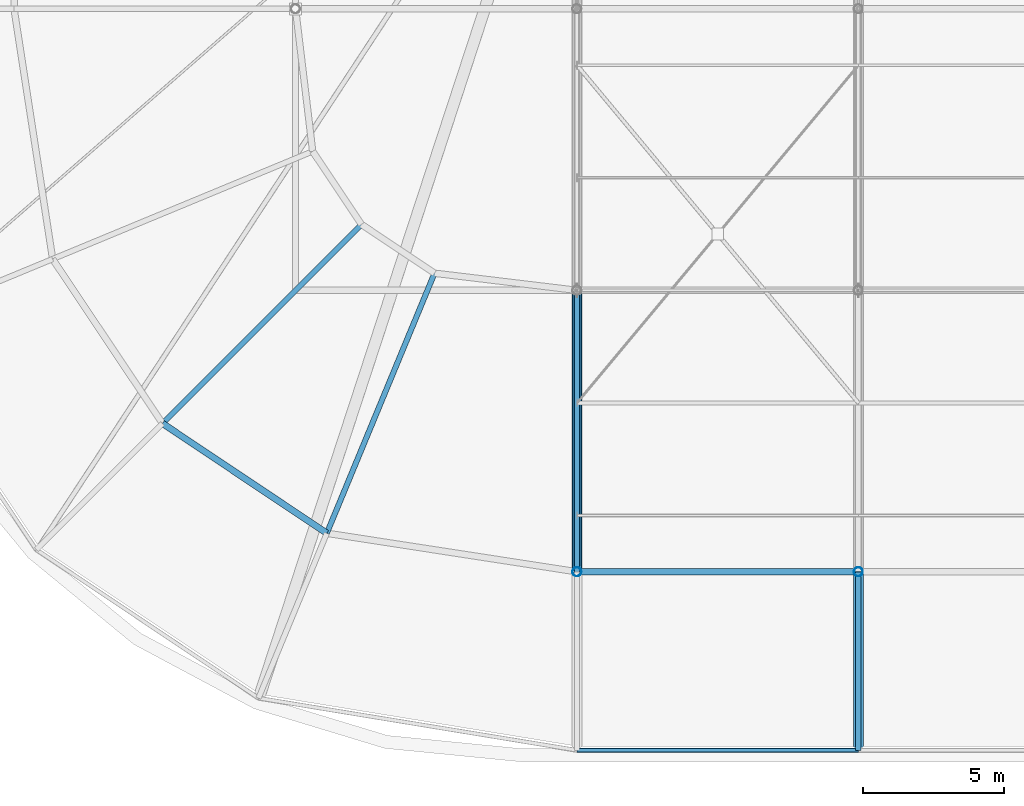
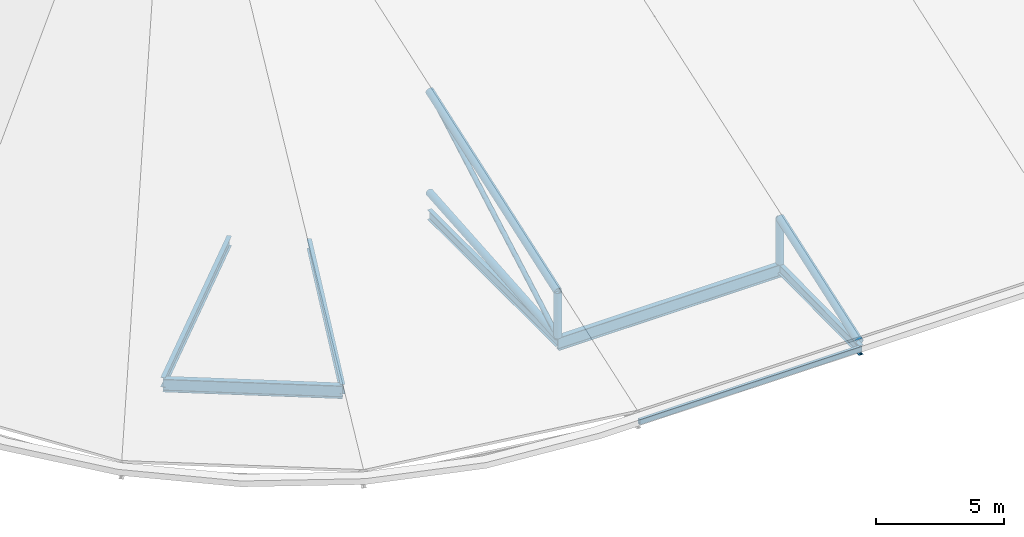
# One storey, part 9 of 93: 7 beams, 6 members.
"""IFC4 building model written with IfcOpenShell, lengths in metres."""

from ifc_helpers import new_model, si_unit, derived_unit, direction, frame, origin, origin_2d_with_axis, place, context, subcontext, project, spatial, hollow_rectangle, hollow_circle, i_section, extrude, material, material_profile, profile_set, type_object, element, save


model = new_model("IFC4")

# Units and contexts
model_context = context("Model", 3, precision=1e-05, world=origin(), true_north=direction((0.0, 1.0)))
body_context = subcontext(model_context, "Body", "Model", "MODEL_VIEW")
ifc_project = project(units=[si_unit("LENGTHUNIT", "METRE"), si_unit("AREAUNIT", "SQUARE_METRE"), si_unit("VOLUMEUNIT", "CUBIC_METRE"), si_unit("PLANEANGLEUNIT", "RADIAN"), si_unit("MASSUNIT", "GRAM", prefix="KILO"), derived_unit("THERMALTRANSMITTANCEUNIT", [(si_unit("POWERUNIT", "WATT"), 1), (si_unit("LENGTHUNIT", "METRE"), -2), (si_unit("THERMODYNAMICTEMPERATUREUNIT", "KELVIN"), -1)])], contexts=[model_context])

# Site, building, storey
site_placement = place(None, origin())
site = spatial("IfcSite", under=ifc_project, at=site_placement, CompositionType="ELEMENT")
building_placement = place(site_placement, origin())
building = spatial("IfcBuilding", under=site, at=building_placement, Name="Cinnabar Yard Market Hall", CompositionType="ELEMENT")
storey_placement = place(building_placement, frame((0.0, 0.0, 23.800048828125)))
storey = spatial("IfcBuildingStorey", under=building, at=storey_placement, Name="ROOF", CompositionType="ELEMENT", Elevation=23.800048828125)

# Beams
ifc_material_1 = material(Name="Steel Grade 350 (350 MPa)", Category="steel")
ifc_material_profile_1 = material_profile(ifc_material_1, i_section(OverallWidth=0.22900390625, OverallDepth=0.611572265625, WebThickness=0.011962890625, FlangeThickness=0.01953125, FilletRadius=0.013916015625, at=origin_2d_with_axis()), Name="610UB125")
ifc_profile_set_1 = profile_set([ifc_material_profile_1], Name="Steel Grade 350 (350 MPa)")
beam_type_1 = type_object("IfcBeamType", Name="BM-B01E", PredefinedType="BEAM", material=ifc_profile_set_1)
beam_1_placement = place(storey_placement, frame((86.0, 14.0, -9.705810546875), z_axis=(1.0, 0.0, 0.0), x_axis=(0.0, 1.0, 0.0)))
element("IfcBeam", 1, at=beam_1_placement, inside=storey, type_object=beam_type_1, Name="South Springer Girder 00356", PredefinedType="BEAM", context=body_context, shape_type="SweptSolid", body=[
    extrude(i_section(OverallWidth=0.22900390625, OverallDepth=0.611572265625, WebThickness=0.011962890625, FlangeThickness=0.01953125, FilletRadius=0.013916015625, at=origin_2d_with_axis()), origin(), (0.0, 0.0, 1.0), 10.0),
])
beam_2_placement = place(storey_placement, frame((71.272216796875, 19.272216796875, -9.705810546875), z_axis=(0.831456201368, -0.555590303377, 0.0), x_axis=(0.555590303377, 0.831456201368, 0.0)))
element("IfcBeam", 2, at=beam_2_placement, inside=storey, type_object=beam_type_1, Name="Outer Corner Ring SW 00455", PredefinedType="BEAM", context=body_context, shape_type="SweptSolid", body=[
    extrude(i_section(OverallWidth=0.22900390625, OverallDepth=0.611572265625, WebThickness=0.011962890625, FlangeThickness=0.01953125, FilletRadius=0.013916015625, at=origin_2d_with_axis()), origin(), (0.0, 0.0, 1.0), 7.0234375),
])
ifc_material_2 = material(Name="Steel Grade 300 (300 MPa)", Category="steel")
ifc_material_profile_2 = material_profile(ifc_material_2, i_section(OverallWidth=0.19091796875, OverallDepth=0.46044921875, WebThickness=0.010009765625, FlangeThickness=0.01611328125, FilletRadius=0.011474609375, at=origin_2d_with_axis()), Name="460UB82.1")
ifc_profile_set_2 = profile_set([ifc_material_profile_2], Name="Steel Grade 300 (300 MPa)")
beam_type_2 = type_object("IfcBeamType", Name="BM-B04", PredefinedType="BEAM", material=ifc_profile_set_2)
beam_3_placement = place(storey_placement, frame((78.343017578125, 26.343017578125, -9.630126953125), z_axis=(-0.707106781187, -0.707106781187, 0.0), x_axis=(0.707106781187, -0.707106781187, 0.0)))
element("IfcBeam", 3, at=beam_3_placement, inside=storey, type_object=beam_type_2, Name="Corner Backspan Girder SW-4 00462", PredefinedType="BEAM", context=body_context, shape_type="SweptSolid", body=[
    extrude(i_section(OverallWidth=0.19091796875, OverallDepth=0.46044921875, WebThickness=0.010009765625, FlangeThickness=0.01611328125, FilletRadius=0.011474609375, at=origin_2d_with_axis()), origin(), (0.0, 0.0, 1.0), 9.99951171875),
])
for number, where, z_axis, x_axis, name in (
    (4, (80.9384765625, 24.60888671875, -9.630126953125), (-0.382669478028, -0.923885312463, 0.0), (0.923885312463, -0.382669478028, 0.0), "Corner Backspan Girder SW-6 00464"),
    (5, (86.0, 24.0, -9.630126953125), (0.0, -1.0, 0.0), (1.0, 0.0, 0.0), "South Chhajja Backspan Girder 00520"),
):
    element("IfcBeam", number, at=place(storey_placement, frame(where, z_axis=z_axis, x_axis=x_axis)), inside=storey, type_object=beam_type_2, Name=name, PredefinedType="BEAM", context=body_context, shape_type="SweptSolid", body=[
        extrude(i_section(OverallWidth=0.19091796875, OverallDepth=0.46044921875, WebThickness=0.010009765625, FlangeThickness=0.01611328125, FilletRadius=0.011474609375, at=origin_2d_with_axis()), origin(), (0.0, 0.0, 1.0), 10.0),
    ])
ifc_material_profile_3 = material_profile(ifc_material_2, i_section(OverallWidth=0.19091796875, OverallDepth=0.46044921875, WebThickness=0.010009765625, FlangeThickness=0.01611328125, FilletRadius=0.011474609375, at=origin_2d_with_axis()), Name="460UB82.1")
ifc_profile_set_3 = profile_set([ifc_material_profile_3], Name="Steel Grade 300 (300 MPa)")
beam_type_3 = type_object("IfcBeamType", Name="BM-RF02E", PredefinedType="BEAM", material=ifc_profile_set_3)
beam_4_placement = place(storey_placement, frame((96.0, 14.0, -9.630126953125), z_axis=(0.0, -0.999920245484, -0.012629436656), x_axis=(1.0, 0.0, 0.0)))
element("IfcBeam", 6, at=beam_4_placement, inside=storey, type_object=beam_type_3, Name="South Chhajja Cantilever Rafter 00525", PredefinedType="BEAM", context=body_context, shape_type="SweptSolid", body=[
    extrude(i_section(OverallWidth=0.19091796875, OverallDepth=0.46044921875, WebThickness=0.010009765625, FlangeThickness=0.01611328125, FilletRadius=0.011474609375, at=origin_2d_with_axis()), origin(), (0.0, 0.0, 1.0), 6.340576171875),
])
ifc_material_3 = material(Name="Cold-formed steel C350L0", Category="steel")
ifc_material_profile_4 = material_profile(ifc_material_3, hollow_rectangle(XDim=0.14990234375, YDim=0.25, WallThickness=0.009033203125, InnerFilletRadius=0.009033203125, OuterFilletRadius=0.01806640625, at=origin_2d_with_axis()), Name="250x150x9.0RHS")
ifc_profile_set_4 = profile_set([ifc_material_profile_4], Name="Cold-formed steel C350L0")
beam_type_4 = type_object("IfcBeamType", Name="BM-SP01E", PredefinedType="SPANDREL", material=ifc_profile_set_4)
beam_5_placement = place(storey_placement, frame((86.0, 7.659912109375, -9.60498046875), z_axis=(1.0, 0.0, 0.0), x_axis=(0.0, 1.0, 0.0)))
element("IfcBeam", 7, at=beam_5_placement, inside=storey, type_object=beam_type_4, Name="South Eave Fascia 00548", PredefinedType="SPANDREL", context=body_context, shape_type="SweptSolid", body=[
    extrude(hollow_rectangle(XDim=0.14990234375, YDim=0.25, WallThickness=0.009033203125, InnerFilletRadius=0.009033203125, OuterFilletRadius=0.01806640625, at=origin_2d_with_axis()), origin(), (0.0, 0.0, 1.0), 10.0),
])

# Members
ifc_material_profile_5 = material_profile(ifc_material_3, hollow_circle(Radius=0.161865234375, WallThickness=0.009521484375, at=origin_2d_with_axis()), Name="323.9x9.5CHS")
ifc_profile_set_5 = profile_set([ifc_material_profile_5], Name="Cold-formed steel C350L0")
member_type_1 = type_object("IfcMemberType", Name="MB-BC01", PredefinedType="CHORD", material=ifc_profile_set_5)
member_1_placement = place(storey_placement, frame((86.0, 14.0, -9.400146484375), z_axis=(0.0, 0.99681489162, 0.07975005859), x_axis=(-1.0, 0.0, 0.0)))
element("IfcMember", 8, at=member_1_placement, inside=storey, type_object=member_type_1, Name="Hall Truss 86 Bottom Chord 1", PredefinedType="CHORD", context=body_context, shape_type="SweptSolid", body=[
    extrude(hollow_circle(Radius=0.161865234375, WallThickness=0.009521484375, at=origin_2d_with_axis()), origin(), (0.0, 0.0, 1.0), 10.031982421875),
])
ifc_material_profile_6 = material_profile(ifc_material_3, hollow_circle(Radius=0.109619140625, WallThickness=0.00830078125, at=origin_2d_with_axis()), Name="219.1x8.2CHS")
ifc_profile_set_6 = profile_set([ifc_material_profile_6], Name="Cold-formed steel C350L0")
member_type_2 = type_object("IfcMemberType", Name="MB-DG01", PredefinedType="BRACE", material=ifc_profile_set_6)
member_2_placement = place(storey_placement, frame((86.0, 14.0, -9.400146484375), z_axis=(0.0, 0.871057093215, 0.491181779345), x_axis=(-1.0, 0.0, 0.0)))
element("IfcMember", 9, at=member_2_placement, inside=storey, type_object=member_type_2, Name="Hall Truss 86 Diagonal 1", PredefinedType="BRACE", context=body_context, shape_type="SweptSolid", body=[
    extrude(hollow_circle(Radius=0.109619140625, WallThickness=0.00830078125, at=origin_2d_with_axis()), origin(), (0.0, 0.0, 1.0), 11.480224609375),
])
ifc_material_4 = material(Name="Spotted-gum glulam-clad steel Grade 350 (350 MPa)", Category="steel")
ifc_material_profile_7 = material_profile(ifc_material_4, hollow_circle(Radius=0.161865234375, WallThickness=0.009521484375, at=origin_2d_with_axis()), Name="323.9x9.5CHS")
ifc_profile_set_7 = profile_set([ifc_material_profile_7], Name="Spotted-gum glulam-clad steel Grade 350 (350 MPa)")
member_type_3 = type_object("IfcMemberType", Name="MB-ST01E", PredefinedType="STRUT", material=ifc_profile_set_7)
for number, where, z_axis, x_axis, name in (
    (10, (86.0, 14.0, -9.400146484375), (0.0, 0.0, 1.0), (1.0, 0.0, 0.0), "Truss Bearing Post 86-14"),
    (11, (96.0, 14.0, -9.400146484375), (0.0, 0.0, 1.0), (1.0, 0.0, 0.0), "Truss Bearing Post 96-14"),
):
    element("IfcMember", number, at=place(storey_placement, frame(where, z_axis=z_axis, x_axis=x_axis)), inside=storey, type_object=member_type_3, Name=name, PredefinedType="STRUT", context=body_context, shape_type="SweptSolid", body=[
        extrude(hollow_circle(Radius=0.161865234375, WallThickness=0.009521484375, at=origin_2d_with_axis()), origin(), (0.0, 0.0, 1.0), 2.158203125),
    ])
ifc_material_profile_8 = material_profile(ifc_material_3, hollow_circle(Radius=0.177734375, WallThickness=0.0126953125, at=origin_2d_with_axis()), Name="355.6x12.7CHS")
ifc_profile_set_8 = profile_set([ifc_material_profile_8], Name="Cold-formed steel C350L0")
member_type_4 = type_object("IfcMemberType", Name="MB-TC01", PredefinedType="CHORD", material=ifc_profile_set_8)
member_3_placement = place(storey_placement, frame((86.0, 14.0, -7.241943359375), z_axis=(0.0, 0.944424919483, 0.328727199147), x_axis=(-1.0, 0.0, 0.0)))
element("IfcMember", 12, at=member_3_placement, inside=storey, type_object=member_type_4, Name="Hall Truss 86 Top Chord 1", PredefinedType="CHORD", context=body_context, shape_type="SweptSolid", body=[
    extrude(hollow_circle(Radius=0.177734375, WallThickness=0.0126953125, at=origin_2d_with_axis()), origin(), (0.0, 0.0, 1.0), 10.58837890625),
])
ifc_material_profile_9 = material_profile(ifc_material_3, hollow_circle(Radius=0.177734375, WallThickness=0.0126953125, at=origin_2d_with_axis()), Name="355.6x12.7CHS")
ifc_profile_set_9 = profile_set([ifc_material_profile_9], Name="Cold-formed steel C350L0")
member_type_5 = type_object("IfcMemberType", Name="MB-TC01E", PredefinedType="CHORD", material=ifc_profile_set_9)
member_4_placement = place(storey_placement, frame((96.0, 14.0, -7.241943359375), z_axis=(0.0, -0.944416495302, -0.328751400609), x_axis=(1.0, 0.0, 0.0)))
element("IfcMember", 13, at=member_4_placement, inside=storey, type_object=member_type_5, Name="South Sloped Eave Rafter 96", PredefinedType="CHORD", context=body_context, shape_type="SweptSolid", body=[
    extrude(hollow_circle(Radius=0.177734375, WallThickness=0.0126953125, at=origin_2d_with_axis()), origin(), (0.0, 0.0, 1.0), 6.56494140625),
])

save(model, "model.ifc")
